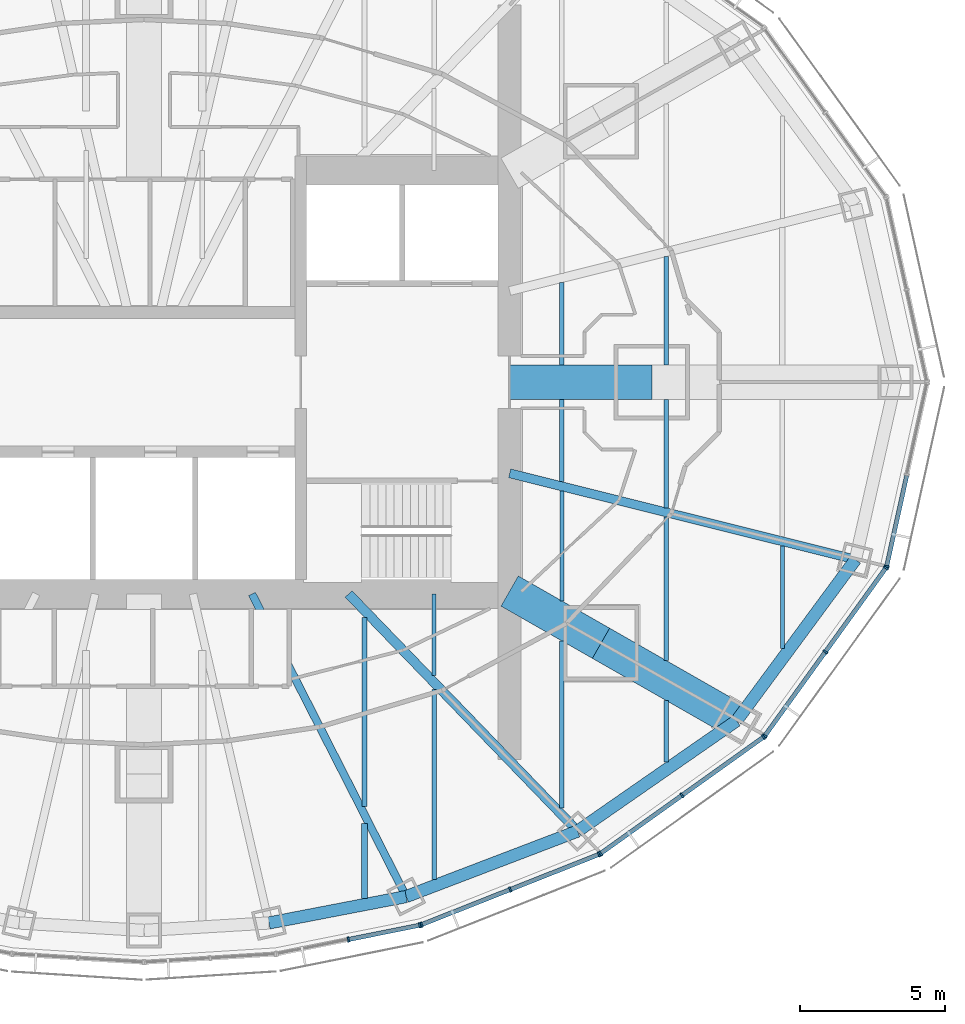
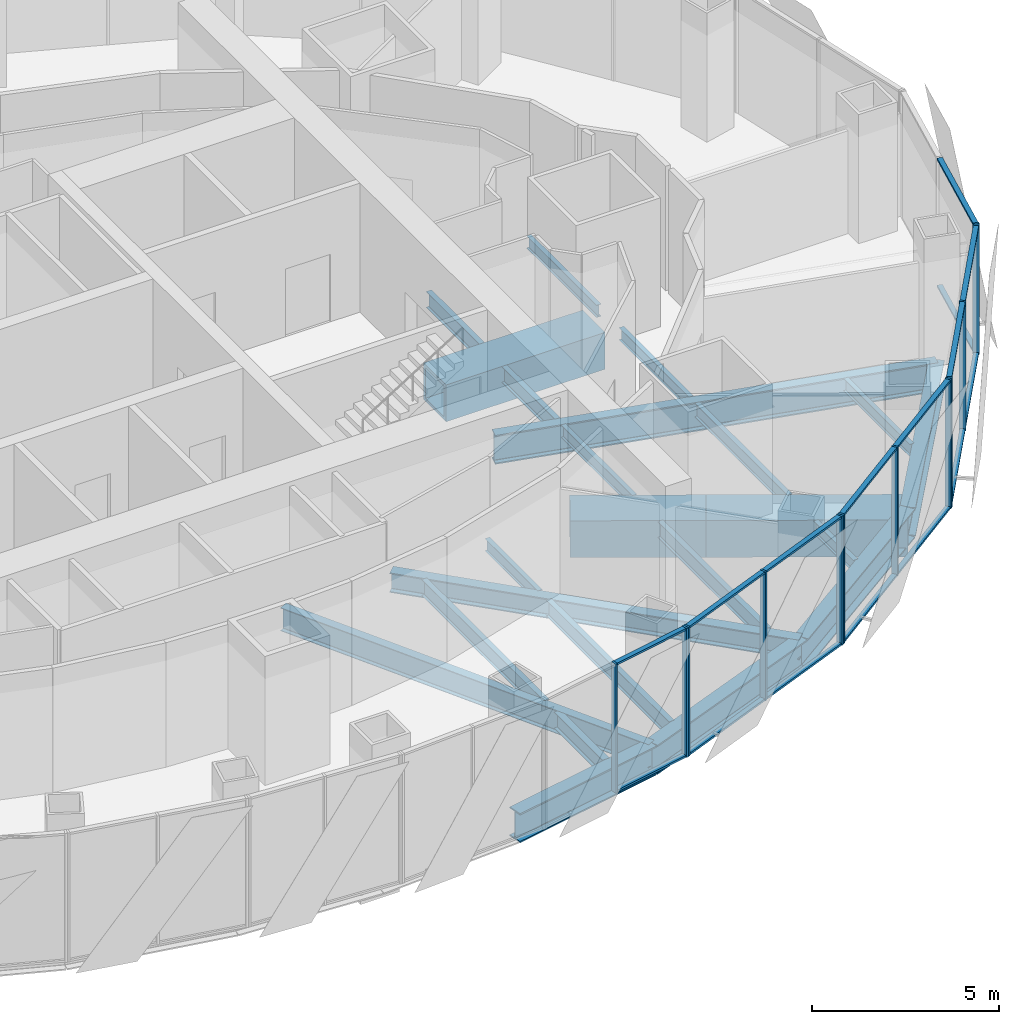
# One storey, part 6 of 17: 28 members, 23 beams, 5 elements without a shape of their own.
"""IFC4 building model written with IfcOpenShell, lengths in metres."""

from ifc_helpers import new_model, si_unit, direction, frame, origin, origin_2d, place, context, subcontext, project, spatial, rectangle, hollow_rectangle, i_section, extrude, material, material_profile, profile_set, type_object, element, aggregate, save


model = new_model("IFC4")

# Units and contexts
model_context = context("Model", 3, precision=1e-05, world=origin(), true_north=direction((0.0, 1.0)))
body_context = subcontext(model_context, "Body", "Model", "MODEL_VIEW")
ifc_project = project(units=[si_unit("LENGTHUNIT", "METRE"), si_unit("AREAUNIT", "SQUARE_METRE"), si_unit("VOLUMEUNIT", "CUBIC_METRE"), si_unit("PLANEANGLEUNIT", "RADIAN"), si_unit("MASSUNIT", "GRAM", prefix="KILO")], contexts=[model_context])

# Site, building, storey
site_placement = place(None, origin())
site = spatial("IfcSite", under=ifc_project, at=site_placement, CompositionType="ELEMENT")
building_placement = place(site_placement, origin())
building = spatial("IfcBuilding", under=site, at=building_placement, Name="Lantaw Convention Tower", CompositionType="ELEMENT")
storey_placement = place(building_placement, frame((0.0, 0.0, 203.199951171875)))
storey = spatial("IfcBuildingStorey", under=building, at=storey_placement, Name="L47", CompositionType="ELEMENT", Elevation=203.199951171875)

# Beams
ifc_material_1 = material(Name="Steel ASTM A992", Category="steel")
ifc_material_profile_1 = material_profile(ifc_material_1, i_section(OverallWidth=0.424072265625, OverallDepth=0.947509765625, WebThickness=0.02392578125, FlangeThickness=0.042724609375, FilletRadius=0.012451171875, at=origin_2d()), Name="W36X302")
ifc_profile_set_1 = profile_set([ifc_material_profile_1], Name="Steel ASTM A992")
beam_type_1 = type_object("IfcBeamType", Name="Beam BC W36X302", PredefinedType="SPANDREL", material=ifc_profile_set_1)
beam_1_placement = place(storey_placement, frame((4.303955078125, -18.64208984375, -0.623779296875), z_axis=(0.981972091702, 0.189025953556, 0.0), x_axis=(-0.189025953556, 0.981972091702, 0.0)))
element("IfcBeam", 1, at=beam_1_placement, inside=storey, type_object=beam_type_1, Name="Belt truss chord 20", PredefinedType="SPANDREL", context=body_context, shape_type="SweptSolid", body=[
    extrude(i_section(OverallWidth=0.424072265625, OverallDepth=0.947509765625, WebThickness=0.02392578125, FlangeThickness=0.042724609375, FilletRadius=0.012451171875, at=origin_2d()), origin(), (0.0, 0.0, 1.0), 4.817626953125),
])
beam_2_placement = place(storey_placement, frame((9.03466796875, -17.7314453125, -0.623779296875), z_axis=(0.934234988, 0.356658081637, 0.0), x_axis=(-0.356658081637, 0.934234988, 0.0)))
element("IfcBeam", 2, at=beam_2_placement, inside=storey, type_object=beam_type_1, Name="Belt truss chord 21", PredefinedType="SPANDREL", context=body_context, shape_type="SweptSolid", body=[
    extrude(i_section(OverallWidth=0.424072265625, OverallDepth=0.947509765625, WebThickness=0.02392578125, FlangeThickness=0.042724609375, FilletRadius=0.012451171875, at=origin_2d()), origin(), (0.0, 0.0, 1.0), 6.32568359375),
])
beam_3_placement = place(storey_placement, frame((14.9443359375, -15.475341796875, -0.623779296875), z_axis=(0.82135329406, 0.570419815869, 0.0), x_axis=(-0.570419815869, 0.82135329406, 0.0)))
element("IfcBeam", 3, at=beam_3_placement, inside=storey, type_object=beam_type_1, Name="Belt truss chord 22", PredefinedType="SPANDREL", context=body_context, shape_type="SweptSolid", body=[
    extrude(i_section(OverallWidth=0.424072265625, OverallDepth=0.947509765625, WebThickness=0.02392578125, FlangeThickness=0.042724609375, FilletRadius=0.012451171875, at=origin_2d()), origin(), (0.0, 0.0, 1.0), 6.67041015625),
])
beam_4_placement = place(storey_placement, frame((20.423095703125, -11.67041015625, -0.623779296875), z_axis=(0.593639188853, 0.804731329984, 0.0), x_axis=(-0.804731329984, 0.593639188853, 0.0)))
element("IfcBeam", 4, at=beam_4_placement, inside=storey, type_object=beam_type_1, Name="Belt truss chord 23", PredefinedType="SPANDREL", context=body_context, shape_type="SweptSolid", body=[
    extrude(i_section(OverallWidth=0.424072265625, OverallDepth=0.947509765625, WebThickness=0.02392578125, FlangeThickness=0.042724609375, FilletRadius=0.012451171875, at=origin_2d()), origin(), (0.0, 0.0, 1.0), 6.904541015625),
])
ifc_material_2 = material(Name="Steel EN 10025-3 S460N", Category="steel")
ifc_material_profile_2 = material_profile(ifc_material_2, hollow_rectangle(XDim=1.199951171875, YDim=1.199951171875, WallThickness=0.10009765625, at=origin_2d()), Name="BOX1200X100")
ifc_profile_set_2 = profile_set([ifc_material_profile_2], Name="Steel EN 10025-3 S460N")
beam_type_2 = type_object("IfcBeamType", Name="Beam G BOX1200X100", PredefinedType="BEAM", material=ifc_profile_set_2)
beam_5_placement = place(storey_placement, frame((15.75, -9.0, -0.75), z_axis=(0.868237559289, -0.496148708192, 0.0), x_axis=(0.496148708192, 0.868237559289, 0.0)))
element("IfcBeam", 5, at=beam_5_placement, inside=storey, type_object=beam_type_2, Name="Floor girder on ray 23", PredefinedType="BEAM", context=body_context, shape_type="SweptSolid", body=[
    extrude(hollow_rectangle(XDim=1.199951171875, YDim=1.199951171875, WallThickness=0.10009765625, at=origin_2d()), origin(), (0.0, 0.0, 1.0), 5.38232421875),
])
ifc_material_profile_3 = material_profile(ifc_material_1, i_section(OverallWidth=0.32763671875, OverallDepth=0.64013671875, WebThickness=0.01904296875, FlangeThickness=0.033935546875, FilletRadius=0.0126953125, at=origin_2d()), Name="W24X176")
ifc_profile_set_3 = profile_set([ifc_material_profile_3], Name="Steel ASTM A992")
beam_type_3 = type_object("IfcBeamType", Name="Beam G W24X176", PredefinedType="BEAM", material=ifc_profile_set_3)
beam_6_placement = place(storey_placement, frame((7.049560546875, -7.300048828125, -0.469970703125), z_axis=(0.694657766726, -0.719340383356, 0.0), x_axis=(0.719340383356, 0.694657766726, 0.0)))
element("IfcBeam", 6, at=beam_6_placement, inside=storey, type_object=beam_type_3, Name="Floor girder on ray 22", PredefinedType="BEAM", context=body_context, shape_type="SweptSolid", body=[
    extrude(i_section(OverallWidth=0.32763671875, OverallDepth=0.64013671875, WebThickness=0.01904296875, FlangeThickness=0.033935546875, FilletRadius=0.0126953125, at=origin_2d()), origin(), (0.0, 0.0, 1.0), 11.364990234375),
])
ifc_material_profile_4 = material_profile(ifc_material_1, i_section(OverallWidth=0.2666015625, OverallDepth=0.7568359375, WebThickness=0.013916015625, FlangeThickness=0.019287109375, FilletRadius=0.0126953125, at=origin_2d()), Name="W30X108")
ifc_profile_set_4 = profile_set([ifc_material_profile_4], Name="Steel ASTM A992")
beam_type_4 = type_object("IfcBeamType", Name="Beam G W30X108", PredefinedType="BEAM", material=ifc_profile_set_4)
beam_7_placement = place(storey_placement, frame((3.719482421875, -7.300048828125, -0.5283203125), z_axis=(0.4539988787, -0.891002254845, 0.0), x_axis=(0.891002254845, 0.4539988787, 0.0)))
element("IfcBeam", 7, at=beam_7_placement, inside=storey, type_object=beam_type_4, Name="Floor girder on ray 21", PredefinedType="BEAM", context=body_context, shape_type="SweptSolid", body=[
    extrude(i_section(OverallWidth=0.2666015625, OverallDepth=0.7568359375, WebThickness=0.013916015625, FlangeThickness=0.019287109375, FilletRadius=0.0126953125, at=origin_2d()), origin(), (0.0, 0.0, 1.0), 11.70751953125),
])
ifc_material_profile_5 = material_profile(ifc_material_1, i_section(OverallWidth=0.307373046875, OverallDepth=0.9423828125, WebThickness=0.022216796875, FlangeThickness=0.039794921875, FilletRadius=0.0126953125, at=origin_2d()), Name="W36X232")
ifc_profile_set_5 = profile_set([ifc_material_profile_5], Name="Steel ASTM A992")
beam_type_5 = type_object("IfcBeamType", Name="Beam G W36X232", PredefinedType="BEAM", material=ifc_profile_set_5)
beam_8_placement = place(storey_placement, frame((12.60009765625, -3.1416015625, -0.62109375), z_axis=(0.970296589314, -0.241918434119, 0.0), x_axis=(0.241918434119, 0.970296589314, 0.0)))
element("IfcBeam", 8, at=beam_8_placement, inside=storey, type_object=beam_type_5, Name="Floor girder on ray 24", PredefinedType="BEAM", context=body_context, shape_type="SweptSolid", body=[
    extrude(i_section(OverallWidth=0.307373046875, OverallDepth=0.9423828125, WebThickness=0.022216796875, FlangeThickness=0.039794921875, FilletRadius=0.0126953125, at=origin_2d()), origin(), (0.0, 0.0, 1.0), 12.286865234375),
])
ifc_material_profile_6 = material_profile(ifc_material_1, i_section(OverallWidth=0.140380859375, OverallDepth=0.40380859375, WebThickness=0.007080078125, FlangeThickness=0.01123046875, FilletRadius=0.01025390625, at=origin_2d()), Name="W16X31")
ifc_profile_set_6 = profile_set([ifc_material_profile_6], Name="Steel ASTM A992")
beam_type_6 = type_object("IfcBeamType", Name="Beam J W16X31", PredefinedType="JOIST", material=ifc_profile_set_6)
beam_9_placement = place(storey_placement, frame((10.0, -10.119384765625, -0.351806640625), z_axis=(0.0, 1.0, 0.0), x_axis=(-1.0, 0.0, 0.0)))
element("IfcBeam", 9, at=beam_9_placement, inside=storey, type_object=beam_type_6, Name="Floor joist", PredefinedType="JOIST", context=body_context, shape_type="SweptSolid", body=[
    extrude(i_section(OverallWidth=0.140380859375, OverallDepth=0.40380859375, WebThickness=0.007080078125, FlangeThickness=0.01123046875, FilletRadius=0.01025390625, at=origin_2d()), origin(), (0.0, 0.0, 1.0), 2.8193359375),
])
beam_10_placement = place(storey_placement, frame((14.39990234375, -7.53759765625, -0.351806640625), z_axis=(0.0, 1.0, 0.0), x_axis=(-1.0, 0.0, 0.0)))
element("IfcBeam", 10, at=beam_10_placement, inside=storey, type_object=beam_type_6, Name="Floor joist", PredefinedType="JOIST", context=body_context, shape_type="SweptSolid", body=[
    extrude(i_section(OverallWidth=0.140380859375, OverallDepth=0.40380859375, WebThickness=0.007080078125, FlangeThickness=0.01123046875, FilletRadius=0.01025390625, at=origin_2d()), origin(), (0.0, 0.0, 1.0), 3.788818359375),
])
beam_11_placement = place(storey_placement, frame((18.0, -13.094970703125, -0.351806640625), z_axis=(0.0, 1.0, 0.0), x_axis=(-1.0, 0.0, 0.0)))
element("IfcBeam", 11, at=beam_11_placement, inside=storey, type_object=beam_type_6, Name="Floor joist", PredefinedType="JOIST", context=body_context, shape_type="SweptSolid", body=[
    extrude(i_section(OverallWidth=0.140380859375, OverallDepth=0.40380859375, WebThickness=0.007080078125, FlangeThickness=0.01123046875, FilletRadius=0.01025390625, at=origin_2d()), origin(), (0.0, 0.0, 1.0), 2.1181640625),
])
for number, where, z_axis, x_axis, name in (
    (12, (18.0, -4.32958984375, -0.351806640625), (0.0, 1.0, 0.0), (-1.0, 0.0, 0.0), "Floor joist"),
    (13, (18.0, 0.60009765625, -0.351806640625), (0.0, 1.0, 0.0), (-1.0, 0.0, 0.0), "Floor joist"),
):
    element("IfcBeam", number, at=place(storey_placement, frame(where, z_axis=z_axis, x_axis=x_axis)), inside=storey, type_object=beam_type_6, Name=name, PredefinedType="JOIST", context=body_context, shape_type="SweptSolid", body=[
        extrude(i_section(OverallWidth=0.140380859375, OverallDepth=0.40380859375, WebThickness=0.007080078125, FlangeThickness=0.01123046875, FilletRadius=0.01025390625, at=origin_2d()), origin(), (0.0, 0.0, 1.0), 3.7294921875),
    ])
beam_12_placement = place(storey_placement, frame((22.0, -9.175537109375, -0.351806640625), z_axis=(0.0, 1.0, 0.0), x_axis=(-1.0, 0.0, 0.0)))
element("IfcBeam", 14, at=beam_12_placement, inside=storey, type_object=beam_type_6, Name="Floor joist", PredefinedType="JOIST", context=body_context, shape_type="SweptSolid", body=[
    extrude(i_section(OverallWidth=0.140380859375, OverallDepth=0.40380859375, WebThickness=0.007080078125, FlangeThickness=0.01123046875, FilletRadius=0.01025390625, at=origin_2d()), origin(), (0.0, 0.0, 1.0), 3.531982421875),
])
ifc_material_profile_7 = material_profile(ifc_material_1, i_section(OverallWidth=0.15234375, OverallDepth=0.449462890625, WebThickness=0.007568359375, FlangeThickness=0.0107421875, FilletRadius=0.01025390625, at=origin_2d()), Name="W18X35")
ifc_profile_set_7 = profile_set([ifc_material_profile_7], Name="Steel ASTM A992")
beam_type_7 = type_object("IfcBeamType", Name="Beam J W18X35", PredefinedType="JOIST", material=ifc_profile_set_7)
beam_13_placement = place(storey_placement, frame((18.0, -9.5947265625, -0.374755859375), z_axis=(0.0, 1.0, 0.0), x_axis=(-1.0, 0.0, 0.0)))
element("IfcBeam", 15, at=beam_13_placement, inside=storey, type_object=beam_type_7, Name="Floor joist", PredefinedType="JOIST", context=body_context, shape_type="SweptSolid", body=[
    extrude(i_section(OverallWidth=0.15234375, OverallDepth=0.449462890625, WebThickness=0.007568359375, FlangeThickness=0.0107421875, FilletRadius=0.01025390625, at=origin_2d()), origin(), (0.0, 0.0, 1.0), 4.948486328125),
])
ifc_material_profile_8 = material_profile(ifc_material_1, i_section(OverallWidth=0.1650390625, OverallDepth=0.52587890625, WebThickness=0.0087890625, FlangeThickness=0.011474609375, FilletRadius=0.0126953125, at=origin_2d()), Name="W21X44")
ifc_profile_set_8 = profile_set([ifc_material_profile_8], Name="Steel ASTM A992")
beam_type_8 = type_object("IfcBeamType", Name="Beam J W21X44", PredefinedType="JOIST", material=ifc_profile_set_8)
beam_14_placement = place(storey_placement, frame((7.60009765625, -14.6220703125, -0.412841796875), z_axis=(0.0, 1.0, 0.0), x_axis=(-1.0, 0.0, 0.0)))
element("IfcBeam", 16, at=beam_14_placement, inside=storey, type_object=beam_type_8, Name="Floor joist", PredefinedType="JOIST", context=body_context, shape_type="SweptSolid", body=[
    extrude(i_section(OverallWidth=0.1650390625, OverallDepth=0.52587890625, WebThickness=0.0087890625, FlangeThickness=0.011474609375, FilletRadius=0.0126953125, at=origin_2d()), origin(), (0.0, 0.0, 1.0), 6.51611328125),
])
beam_15_placement = place(storey_placement, frame((10.0, -17.135986328125, -0.412841796875), z_axis=(0.0, 1.0, 0.0), x_axis=(-1.0, 0.0, 0.0)))
element("IfcBeam", 17, at=beam_15_placement, inside=storey, type_object=beam_type_8, Name="Floor joist", PredefinedType="JOIST", context=body_context, shape_type="SweptSolid", body=[
    extrude(i_section(OverallWidth=0.1650390625, OverallDepth=0.52587890625, WebThickness=0.0087890625, FlangeThickness=0.011474609375, FilletRadius=0.0126953125, at=origin_2d()), origin(), (0.0, 0.0, 1.0), 6.544921875),
])
beam_16_placement = place(storey_placement, frame((14.39990234375, -14.67578125, -0.412841796875), z_axis=(0.0, 1.0, 0.0), x_axis=(-1.0, 0.0, 0.0)))
element("IfcBeam", 18, at=beam_16_placement, inside=storey, type_object=beam_type_8, Name="Floor joist", PredefinedType="JOIST", context=body_context, shape_type="SweptSolid", body=[
    extrude(i_section(OverallWidth=0.1650390625, OverallDepth=0.52587890625, WebThickness=0.0087890625, FlangeThickness=0.011474609375, FilletRadius=0.0126953125, at=origin_2d()), origin(), (0.0, 0.0, 1.0), 5.756103515625),
])
for number, where, z_axis, x_axis, name in (
    (19, (14.39990234375, -3.431884765625, -0.412841796875), (0.0, 1.0, 0.0), (-1.0, 0.0, 0.0), "Floor joist"),
    (20, (14.39990234375, 0.60009765625, -0.412841796875), (0.0, 1.0, 0.0), (-1.0, 0.0, 0.0), "Floor joist"),
):
    element("IfcBeam", number, at=place(storey_placement, frame(where, z_axis=z_axis, x_axis=x_axis)), inside=storey, type_object=beam_type_8, Name=name, PredefinedType="JOIST", context=body_context, shape_type="SweptSolid", body=[
        extrude(i_section(OverallWidth=0.1650390625, OverallDepth=0.52587890625, WebThickness=0.0087890625, FlangeThickness=0.011474609375, FilletRadius=0.0126953125, at=origin_2d()), origin(), (0.0, 0.0, 1.0), 2.831787109375),
    ])
ifc_material_profile_9 = material_profile(ifc_material_1, i_section(OverallWidth=0.2099609375, OverallDepth=0.535888671875, WebThickness=0.010986328125, FlangeThickness=0.017333984375, FilletRadius=0.012939453125, at=origin_2d()), Name="W21X68")
ifc_profile_set_9 = profile_set([ifc_material_profile_9], Name="Steel ASTM A992")
beam_type_9 = type_object("IfcBeamType", Name="Beam J W21X68", PredefinedType="JOIST", material=ifc_profile_set_9)
beam_17_placement = place(storey_placement, frame((7.60009765625, -17.791748046875, -0.41796875), z_axis=(0.0, 1.0, 0.0), x_axis=(-1.0, 0.0, 0.0)))
element("IfcBeam", 21, at=beam_17_placement, inside=storey, type_object=beam_type_9, Name="Floor joist", PredefinedType="JOIST", context=body_context, shape_type="SweptSolid", body=[
    extrude(i_section(OverallWidth=0.2099609375, OverallDepth=0.535888671875, WebThickness=0.010986328125, FlangeThickness=0.017333984375, FilletRadius=0.012939453125, at=origin_2d()), origin(), (0.0, 0.0, 1.0), 2.582275390625),
])
ifc_material_profile_10 = material_profile(ifc_material_2, hollow_rectangle(XDim=1.199951171875, YDim=1.199951171875, WallThickness=0.10009765625, at=origin_2d()), Name="BOX1200X100")
ifc_profile_set_10 = profile_set([ifc_material_profile_10], Name="Steel EN 10025-3 S460N")
beam_type_10 = type_object("IfcBeamType", Name="Beam OC BOX1200X100", PredefinedType="BEAM", material=ifc_profile_set_10)
beam_18_placement = place(storey_placement, frame((12.60009765625, 0.0, -0.75), z_axis=(1.0, 0.0, 0.0), x_axis=(0.0, 1.0, 0.0)))
element("IfcBeam", 22, at=beam_18_placement, inside=storey, type_object=beam_type_10, Name="Outrigger chord on ray 1", PredefinedType="BEAM", context=body_context, shape_type="SweptSolid", body=[
    extrude(hollow_rectangle(XDim=1.199951171875, YDim=1.199951171875, WallThickness=0.10009765625, at=origin_2d()), origin(), (0.0, 0.0, 1.0), 4.89990234375),
])
beam_19_placement = place(storey_placement, frame((12.60009765625, -7.199951171875, -0.75), z_axis=(0.868230718294, -0.496160679428, 0.0), x_axis=(0.496160679428, 0.868230718294, 0.0)))
element("IfcBeam", 23, at=beam_19_placement, inside=storey, type_object=beam_type_10, Name="Outrigger chord on ray 23", PredefinedType="BEAM", context=body_context, shape_type="SweptSolid", body=[
    extrude(hollow_rectangle(XDim=1.199951171875, YDim=1.199951171875, WallThickness=0.10009765625, at=origin_2d()), origin(), (0.0, 0.0, 1.0), 3.6279296875),
])

# Curtain wall, members
ifc_material_3 = material(Name="Aluminium framed curtain wall", Category="aluminium")
curtain_wall_type = type_object("IfcCurtainWallType", Name="Office curtain wall high rise, pale aluminium", PredefinedType="USERDEFINED", material=ifc_material_3)
curtain_wall_1_placement = place(storey_placement, origin())
curtain_wall_1 = element("IfcCurtainWall", 24, at=curtain_wall_1_placement, inside=storey, type_object=curtain_wall_type, Name="Office curtain wall high rise, pale aluminium L47", ObjectType="UNITISED CURTAIN WALL", PredefinedType="USERDEFINED")
ifc_material_4 = material(Name="Aluminium 6063-T6", Category="aluminium")
ifc_material_profile_11 = material_profile(ifc_material_4, rectangle(XDim=0.179931640625, YDim=0.06494140625, at=origin_2d()), Name="CW-O2 mullion 65x180")
ifc_profile_set_11 = profile_set([ifc_material_profile_11], Name="Aluminium 6063-T6")
member_type_1 = type_object("IfcMemberType", Name="CW-O2 mullion 65x180", PredefinedType="MULLION", material=ifc_profile_set_11)
member_1_placement = place(storey_placement, frame((7.042724609375, -19.212646484375, -0.14990234375), z_axis=(0.0, 0.0, 1.0), x_axis=(-0.197183095987, 0.980366679695, 0.0)))
member_1 = element("IfcMember", 25, at=member_1_placement, type_object=member_type_1, Name="CW-O2 mullion 2", PredefinedType="MULLION", context=body_context, shape_type="SweptSolid", body=[
    extrude(rectangle(XDim=0.179931640625, YDim=0.06494140625, at=origin_2d()), origin(), (0.0, 0.0, 1.0), 4.199951171875),
])
member_2_placement = place(storey_placement, frame((9.502197265625, -18.718017578125, -0.14990234375), z_axis=(0.0, 0.0, 1.0), x_axis=(-0.197183095987, 0.980366679695, 0.0)))
member_2 = element("IfcMember", 26, at=member_2_placement, type_object=member_type_1, Name="CW-O2 mullion 3", PredefinedType="MULLION", context=body_context, shape_type="SweptSolid", body=[
    extrude(rectangle(XDim=0.179931640625, YDim=0.06494140625, at=origin_2d()), origin(), (0.0, 0.0, 1.0), 4.199951171875),
])

curtain_wall_2_placement = place(storey_placement, origin())
curtain_wall_2 = element("IfcCurtainWall", 27, at=curtain_wall_2_placement, inside=storey, type_object=curtain_wall_type, Name="Office curtain wall high rise, pale aluminium L47", ObjectType="UNITISED CURTAIN WALL", PredefinedType="USERDEFINED")
member_3_placement = place(storey_placement, frame((9.564208984375, -18.69970703125, -0.14990234375), z_axis=(0.0, 0.0, 1.0), x_axis=(-0.368162315252, 0.929761533743, 0.0)))
member_3 = element("IfcMember", 28, at=member_3_placement, type_object=member_type_1, Name="CW-O2 mullion 1", PredefinedType="MULLION", context=body_context, shape_type="SweptSolid", body=[
    extrude(rectangle(XDim=0.179931640625, YDim=0.06494140625, at=origin_2d()), origin(), (0.0, 0.0, 1.0), 4.199951171875),
])
member_4_placement = place(storey_placement, frame((12.621337890625, -17.4892578125, -0.14990234375), z_axis=(0.0, 0.0, 1.0), x_axis=(-0.368162315252, 0.929761533743, 0.0)))
member_4 = element("IfcMember", 29, at=member_4_placement, type_object=member_type_1, Name="CW-O2 mullion 2", PredefinedType="MULLION", context=body_context, shape_type="SweptSolid", body=[
    extrude(rectangle(XDim=0.179931640625, YDim=0.06494140625, at=origin_2d()), origin(), (0.0, 0.0, 1.0), 4.199951171875),
])
member_5_placement = place(storey_placement, frame((15.67822265625, -16.278564453125, -0.14990234375), z_axis=(0.0, 0.0, 1.0), x_axis=(-0.368162315252, 0.929761533743, 0.0)))
member_5 = element("IfcMember", 30, at=member_5_placement, type_object=member_type_1, Name="CW-O2 mullion 3", PredefinedType="MULLION", context=body_context, shape_type="SweptSolid", body=[
    extrude(rectangle(XDim=0.179931640625, YDim=0.06494140625, at=origin_2d()), origin(), (0.0, 0.0, 1.0), 4.199951171875),
])

curtain_wall_3_placement = place(storey_placement, origin())
curtain_wall_3 = element("IfcCurtainWall", 31, at=curtain_wall_3_placement, inside=storey, type_object=curtain_wall_type, Name="Office curtain wall high rise, pale aluminium L47", ObjectType="UNITISED CURTAIN WALL", PredefinedType="USERDEFINED")
member_6_placement = place(storey_placement, frame((15.73486328125, -16.247802734375, -0.14990234375), z_axis=(0.0, 0.0, 1.0), x_axis=(-0.581323487281, 0.813672540482, 0.0)))
member_6 = element("IfcMember", 32, at=member_6_placement, type_object=member_type_1, Name="CW-O2 mullion 1", PredefinedType="MULLION", context=body_context, shape_type="SweptSolid", body=[
    extrude(rectangle(XDim=0.179931640625, YDim=0.06494140625, at=origin_2d()), origin(), (0.0, 0.0, 1.0), 4.199951171875),
])
member_7_placement = place(storey_placement, frame((18.543212890625, -14.241455078125, -0.14990234375), z_axis=(0.0, 0.0, 1.0), x_axis=(-0.581323487281, 0.813672540482, 0.0)))
member_7 = element("IfcMember", 33, at=member_7_placement, type_object=member_type_1, Name="CW-O2 mullion 2", PredefinedType="MULLION", context=body_context, shape_type="SweptSolid", body=[
    extrude(rectangle(XDim=0.179931640625, YDim=0.06494140625, at=origin_2d()), origin(), (0.0, 0.0, 1.0), 4.199951171875),
])
member_8_placement = place(storey_placement, frame((21.3515625, -12.23486328125, -0.14990234375), z_axis=(0.0, 0.0, 1.0), x_axis=(-0.581323487281, 0.813672540482, 0.0)))
member_8 = element("IfcMember", 34, at=member_8_placement, type_object=member_type_1, Name="CW-O2 mullion 3", PredefinedType="MULLION", context=body_context, shape_type="SweptSolid", body=[
    extrude(rectangle(XDim=0.179931640625, YDim=0.06494140625, at=origin_2d()), origin(), (0.0, 0.0, 1.0), 4.199951171875),
])

curtain_wall_4_placement = place(storey_placement, origin())
curtain_wall_4 = element("IfcCurtainWall", 35, at=curtain_wall_4_placement, inside=storey, type_object=curtain_wall_type, Name="Office curtain wall high rise, pale aluminium L47", ObjectType="UNITISED CURTAIN WALL", PredefinedType="USERDEFINED")
member_9_placement = place(storey_placement, frame((21.397216796875, -12.189697265625, -0.14990234375), z_axis=(0.0, 0.0, 1.0), x_axis=(-0.810919559405, 0.585157643865, 0.0)))
member_9 = element("IfcMember", 36, at=member_9_placement, type_object=member_type_1, Name="CW-O2 mullion 1", PredefinedType="MULLION", context=body_context, shape_type="SweptSolid", body=[
    extrude(rectangle(XDim=0.179931640625, YDim=0.06494140625, at=origin_2d()), origin(), (0.0, 0.0, 1.0), 4.199951171875),
])
member_10_placement = place(storey_placement, frame((23.483642578125, -9.298095703125, -0.14990234375), z_axis=(0.0, 0.0, 1.0), x_axis=(-0.810919559405, 0.585157643865, 0.0)))
member_10 = element("IfcMember", 37, at=member_10_placement, type_object=member_type_1, Name="CW-O2 mullion 2", PredefinedType="MULLION", context=body_context, shape_type="SweptSolid", body=[
    extrude(rectangle(XDim=0.179931640625, YDim=0.06494140625, at=origin_2d()), origin(), (0.0, 0.0, 1.0), 4.199951171875),
])
member_11_placement = place(storey_placement, frame((25.5703125, -6.406494140625, -0.14990234375), z_axis=(0.0, 0.0, 1.0), x_axis=(-0.810919559405, 0.585157643865, 0.0)))
member_11 = element("IfcMember", 38, at=member_11_placement, type_object=member_type_1, Name="CW-O2 mullion 3", PredefinedType="MULLION", context=body_context, shape_type="SweptSolid", body=[
    extrude(rectangle(XDim=0.179931640625, YDim=0.06494140625, at=origin_2d()), origin(), (0.0, 0.0, 1.0), 4.199951171875),
])

# Curtain wall, member
curtain_wall_5_placement = place(storey_placement, origin())
curtain_wall_5 = element("IfcCurtainWall", 39, at=curtain_wall_5_placement, inside=storey, type_object=curtain_wall_type, Name="Office curtain wall high rise, pale aluminium L47", ObjectType="UNITISED CURTAIN WALL", PredefinedType="USERDEFINED")
member_12_placement = place(storey_placement, frame((25.596435546875, -6.348388671875, -0.14990234375), z_axis=(0.0, 0.0, 1.0), x_axis=(-0.976417396437, 0.215891333626, 0.0)))
member_12 = element("IfcMember", 40, at=member_12_placement, type_object=member_type_1, Name="CW-O2 mullion 1", PredefinedType="MULLION", context=body_context, shape_type="SweptSolid", body=[
    extrude(rectangle(XDim=0.179931640625, YDim=0.06494140625, at=origin_2d()), origin(), (0.0, 0.0, 1.0), 4.199951171875),
])

# Member
ifc_material_profile_12 = material_profile(ifc_material_4, rectangle(XDim=0.14990234375, YDim=0.06494140625, at=origin_2d()), Name="CW-O2 transom 65x150")
ifc_profile_set_12 = profile_set([ifc_material_profile_12], Name="Aluminium 6063-T6")
member_type_2 = type_object("IfcMemberType", Name="CW-O2 transom 65x150", PredefinedType="USERDEFINED", material=ifc_profile_set_12)
member_13_placement = place(storey_placement, frame((7.074462890625, -19.206298828125, -0.117431640625), z_axis=(0.98036104319, 0.197211117829, 0.0), x_axis=(-0.197211117829, 0.98036104319, 0.0)))
member_13 = element("IfcMember", 41, at=member_13_placement, type_object=member_type_2, Name="CW-O2 transom 2.1", ObjectType="TRANSOM", PredefinedType="USERDEFINED", context=body_context, shape_type="SweptSolid", body=[
    extrude(rectangle(XDim=0.14990234375, YDim=0.06494140625, at=origin_2d()), origin(), (0.0, 0.0, 1.0), 2.44384765625),
])

member_14_placement = place(storey_placement, frame((7.074462890625, -19.206298828125, 4.017578125), z_axis=(0.98036104319, 0.197211117829, 0.0), x_axis=(-0.197211117829, 0.98036104319, 0.0)))
member_14 = element("IfcMember", 42, at=member_14_placement, type_object=member_type_2, Name="CW-O2 transom 2.2", ObjectType="TRANSOM", PredefinedType="USERDEFINED", context=body_context, shape_type="SweptSolid", body=[
    extrude(rectangle(XDim=0.14990234375, YDim=0.06494140625, at=origin_2d()), origin(), (0.0, 0.0, 1.0), 2.44384765625),
])

aggregate(curtain_wall_1, [member_1, member_2, member_13, member_14])

member_15_placement = place(storey_placement, frame((9.594482421875, -18.687744140625, -0.117431640625), z_axis=(0.929766642946, 0.368149412149, 0.0), x_axis=(-0.368149412149, 0.929766642946, 0.0)))
member_15 = element("IfcMember", 43, at=member_15_placement, type_object=member_type_2, Name="CW-O2 transom 1.1", ObjectType="TRANSOM", PredefinedType="USERDEFINED", context=body_context, shape_type="SweptSolid", body=[
    extrude(rectangle(XDim=0.14990234375, YDim=0.06494140625, at=origin_2d()), origin(), (0.0, 0.0, 1.0), 3.222900390625),
])

member_16_placement = place(storey_placement, frame((9.594482421875, -18.687744140625, 4.017578125), z_axis=(0.929766642946, 0.368149412149, 0.0), x_axis=(-0.368149412149, 0.929766642946, 0.0)))
member_16 = element("IfcMember", 44, at=member_16_placement, type_object=member_type_2, Name="CW-O2 transom 1.2", ObjectType="TRANSOM", PredefinedType="USERDEFINED", context=body_context, shape_type="SweptSolid", body=[
    extrude(rectangle(XDim=0.14990234375, YDim=0.06494140625, at=origin_2d()), origin(), (0.0, 0.0, 1.0), 3.222900390625),
])

member_17_placement = place(storey_placement, frame((12.651611328125, -17.477294921875, -0.117431640625), z_axis=(0.929740712354, 0.368214893495, 0.0), x_axis=(-0.368214893495, 0.929740712354, 0.0)))
member_17 = element("IfcMember", 45, at=member_17_placement, type_object=member_type_2, Name="CW-O2 transom 2.1", ObjectType="TRANSOM", PredefinedType="USERDEFINED", context=body_context, shape_type="SweptSolid", body=[
    extrude(rectangle(XDim=0.14990234375, YDim=0.06494140625, at=origin_2d()), origin(), (0.0, 0.0, 1.0), 3.22314453125),
])

member_18_placement = place(storey_placement, frame((12.651611328125, -17.477294921875, 4.017578125), z_axis=(0.929740712354, 0.368214893495, 0.0), x_axis=(-0.368214893495, 0.929740712354, 0.0)))
member_18 = element("IfcMember", 46, at=member_18_placement, type_object=member_type_2, Name="CW-O2 transom 2.2", ObjectType="TRANSOM", PredefinedType="USERDEFINED", context=body_context, shape_type="SweptSolid", body=[
    extrude(rectangle(XDim=0.14990234375, YDim=0.06494140625, at=origin_2d()), origin(), (0.0, 0.0, 1.0), 3.22314453125),
])

aggregate(curtain_wall_2, [member_3, member_4, member_5, member_15, member_16, member_17, member_18])

member_19_placement = place(storey_placement, frame((15.761474609375, -16.22900390625, -0.117431640625), z_axis=(0.813645780821, 0.581360940683, 0.0), x_axis=(-0.581360940683, 0.813645780821, 0.0)))
member_19 = element("IfcMember", 47, at=member_19_placement, type_object=member_type_2, Name="CW-O2 transom 1.1", ObjectType="TRANSOM", PredefinedType="USERDEFINED", context=body_context, shape_type="SweptSolid", body=[
    extrude(rectangle(XDim=0.14990234375, YDim=0.06494140625, at=origin_2d()), origin(), (0.0, 0.0, 1.0), 3.386474609375),
])

member_20_placement = place(storey_placement, frame((15.761474609375, -16.22900390625, 4.017578125), z_axis=(0.813645780821, 0.581360940683, 0.0), x_axis=(-0.581360940683, 0.813645780821, 0.0)))
member_20 = element("IfcMember", 48, at=member_20_placement, type_object=member_type_2, Name="CW-O2 transom 1.2", ObjectType="TRANSOM", PredefinedType="USERDEFINED", context=body_context, shape_type="SweptSolid", body=[
    extrude(rectangle(XDim=0.14990234375, YDim=0.06494140625, at=origin_2d()), origin(), (0.0, 0.0, 1.0), 3.386474609375),
])

member_21_placement = place(storey_placement, frame((18.56982421875, -14.222412109375, -0.117431640625), z_axis=(0.813679882592, 0.581313210468, 0.0), x_axis=(-0.581313210468, 0.813679882592, 0.0)))
member_21 = element("IfcMember", 49, at=member_21_placement, type_object=member_type_2, Name="CW-O2 transom 2.1", ObjectType="TRANSOM", PredefinedType="USERDEFINED", context=body_context, shape_type="SweptSolid", body=[
    extrude(rectangle(XDim=0.14990234375, YDim=0.06494140625, at=origin_2d()), origin(), (0.0, 0.0, 1.0), 3.38623046875),
])

member_22_placement = place(storey_placement, frame((18.56982421875, -14.222412109375, 4.017578125), z_axis=(0.813679882592, 0.581313210468, 0.0), x_axis=(-0.581313210468, 0.813679882592, 0.0)))
member_22 = element("IfcMember", 50, at=member_22_placement, type_object=member_type_2, Name="CW-O2 transom 2.2", ObjectType="TRANSOM", PredefinedType="USERDEFINED", context=body_context, shape_type="SweptSolid", body=[
    extrude(rectangle(XDim=0.14990234375, YDim=0.06494140625, at=origin_2d()), origin(), (0.0, 0.0, 1.0), 3.38623046875),
])

aggregate(curtain_wall_3, [member_6, member_7, member_8, member_19, member_20, member_21, member_22])

member_23_placement = place(storey_placement, frame((21.416259765625, -12.163330078125, -0.117431640625), z_axis=(0.585123825205, 0.810943961798, 0.0), x_axis=(-0.810943961798, 0.585123825205, 0.0)))
member_23 = element("IfcMember", 51, at=member_23_placement, type_object=member_type_2, Name="CW-O2 transom 1.1", ObjectType="TRANSOM", PredefinedType="USERDEFINED", context=body_context, shape_type="SweptSolid", body=[
    extrude(rectangle(XDim=0.14990234375, YDim=0.06494140625, at=origin_2d()), origin(), (0.0, 0.0, 1.0), 3.500732421875),
])

member_24_placement = place(storey_placement, frame((21.416259765625, -12.163330078125, 4.017578125), z_axis=(0.585123825205, 0.810943961798, 0.0), x_axis=(-0.810943961798, 0.585123825205, 0.0)))
member_24 = element("IfcMember", 52, at=member_24_placement, type_object=member_type_2, Name="CW-O2 transom 1.2", ObjectType="TRANSOM", PredefinedType="USERDEFINED", context=body_context, shape_type="SweptSolid", body=[
    extrude(rectangle(XDim=0.14990234375, YDim=0.06494140625, at=origin_2d()), origin(), (0.0, 0.0, 1.0), 3.500732421875),
])

member_25_placement = place(storey_placement, frame((23.502685546875, -9.271728515625, -0.117431640625), z_axis=(0.585169685931, 0.810910869743, 0.0), x_axis=(-0.810910869743, 0.585169685931, 0.0)))
member_25 = element("IfcMember", 53, at=member_25_placement, type_object=member_type_2, Name="CW-O2 transom 2.1", ObjectType="TRANSOM", PredefinedType="USERDEFINED", context=body_context, shape_type="SweptSolid", body=[
    extrude(rectangle(XDim=0.14990234375, YDim=0.06494140625, at=origin_2d()), origin(), (0.0, 0.0, 1.0), 3.500732421875),
])

member_26_placement = place(storey_placement, frame((23.502685546875, -9.271728515625, 4.017578125), z_axis=(0.585169685931, 0.810910869743, 0.0), x_axis=(-0.810910869743, 0.585169685931, 0.0)))
member_26 = element("IfcMember", 54, at=member_26_placement, type_object=member_type_2, Name="CW-O2 transom 2.2", ObjectType="TRANSOM", PredefinedType="USERDEFINED", context=body_context, shape_type="SweptSolid", body=[
    extrude(rectangle(XDim=0.14990234375, YDim=0.06494140625, at=origin_2d()), origin(), (0.0, 0.0, 1.0), 3.500732421875),
])

aggregate(curtain_wall_4, [member_9, member_10, member_11, member_23, member_24, member_25, member_26])

member_27_placement = place(storey_placement, frame((25.603271484375, -6.316650390625, -0.117431640625), z_axis=(0.215894607042, 0.976416672661, 0.0), x_axis=(-0.976416672661, 0.215894607042, 0.0)))
member_27 = element("IfcMember", 55, at=member_27_placement, type_object=member_type_2, Name="CW-O2 transom 1.1", ObjectType="TRANSOM", PredefinedType="USERDEFINED", context=body_context, shape_type="SweptSolid", body=[
    extrude(rectangle(XDim=0.14990234375, YDim=0.06494140625, at=origin_2d()), origin(), (0.0, 0.0, 1.0), 3.169677734375),
])

member_28_placement = place(storey_placement, frame((25.603271484375, -6.316650390625, 4.017578125), z_axis=(0.215894607042, 0.976416672661, 0.0), x_axis=(-0.976416672661, 0.215894607042, 0.0)))
member_28 = element("IfcMember", 56, at=member_28_placement, type_object=member_type_2, Name="CW-O2 transom 1.2", ObjectType="TRANSOM", PredefinedType="USERDEFINED", context=body_context, shape_type="SweptSolid", body=[
    extrude(rectangle(XDim=0.14990234375, YDim=0.06494140625, at=origin_2d()), origin(), (0.0, 0.0, 1.0), 3.169677734375),
])

aggregate(curtain_wall_5, [member_12, member_27, member_28])

save(model, "model.ifc")
